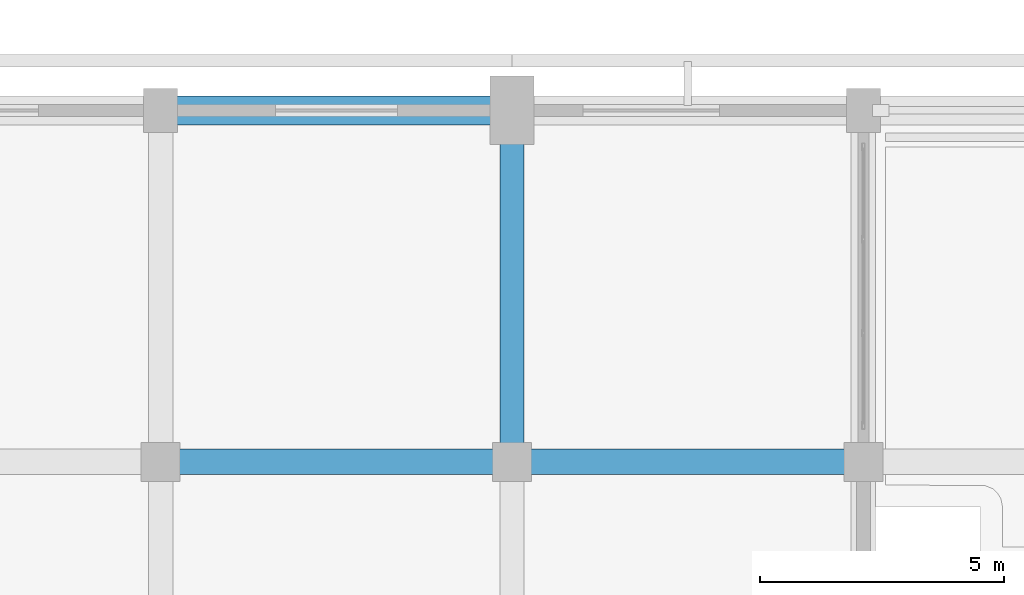
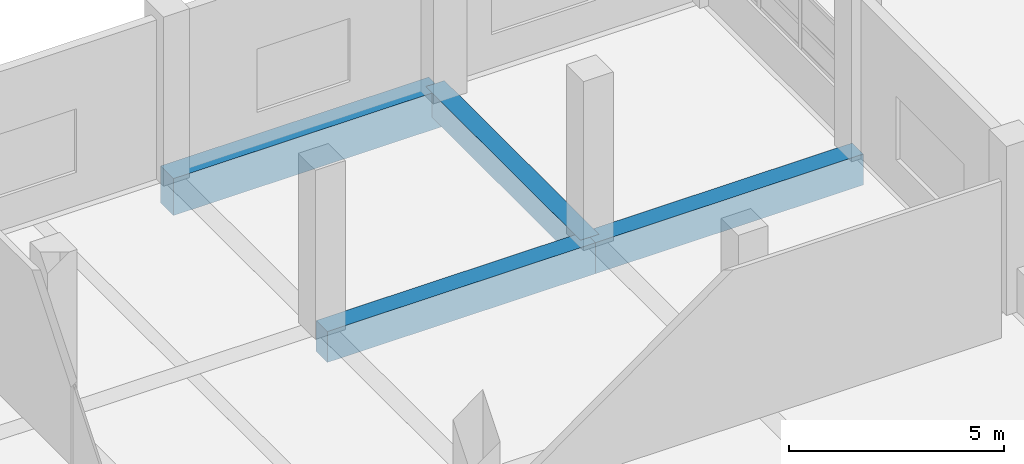
# One storey, part 72 of 140: 4 beams.
"""IFC4 building model written with IfcOpenShell, lengths in metres."""

from ifc_helpers import new_model, si_unit, direction, frame, origin, origin_2d, place, context, subcontext, project, spatial, rectangle, extrude, material, material_profile, profile_set, type_object, element, save


model = new_model("IFC4")

# Units and contexts
model_context = context("Model", 3, precision=1e-05, world=origin(), true_north=direction((0.0, 1.0)))
body_context = subcontext(model_context, "Body", "Model", "MODEL_VIEW")
ifc_project = project(units=[si_unit("LENGTHUNIT", "METRE"), si_unit("AREAUNIT", "SQUARE_METRE"), si_unit("VOLUMEUNIT", "CUBIC_METRE"), si_unit("PLANEANGLEUNIT", "RADIAN"), si_unit("MASSUNIT", "GRAM", prefix="KILO")], contexts=[model_context])

# Site, building, storey
site_placement = place(None, origin())
site = spatial("IfcSite", under=ifc_project, at=site_placement, CompositionType="ELEMENT")
building_placement = place(site_placement, origin())
building = spatial("IfcBuilding", under=site, at=building_placement, Name="Seraya Terrace Polytechnic", CompositionType="ELEMENT")
storey_placement = place(building_placement, frame((0.0, 0.0, 9.60009765625)))
storey = spatial("IfcBuildingStorey", under=building, at=storey_placement, Name="L02", CompositionType="ELEMENT", Elevation=9.60009765625)

# Beams
ifc_material = material(Name="Concrete C40/50", Category="concrete")
ifc_material_profile_1 = material_profile(ifc_material, rectangle(XDim=0.60009765625, YDim=1.050048828125, at=origin_2d()), Name="RC 600x1050")
ifc_profile_set_1 = profile_set([ifc_material_profile_1], Name="Concrete C40/50")
beam_type_1 = type_object("IfcBeamType", Name="BM-01", PredefinedType="BEAM", material=ifc_profile_set_1)
beam_1_placement = place(storey_placement, frame((93.60009765625, 79.199951171875, -0.525146484375), z_axis=(1.0, 0.0, 0.0), x_axis=(0.0, 1.0, 0.0)))
element("IfcBeam", 1, at=beam_1_placement, inside=storey, type_object=beam_type_1, Name="Beam BM-01 L02 X (93.6..100.8, 79.2)", PredefinedType="BEAM", context=body_context, shape_type="SweptSolid", body=[
    extrude(rectangle(XDim=0.60009765625, YDim=1.050048828125, at=origin_2d()), origin(), (0.0, 0.0, 1.0), 7.199951171875),
])
ifc_material_profile_2 = material_profile(ifc_material, rectangle(XDim=0.52001953125, YDim=0.8798828125, at=origin_2d()), Name="RC 520x880")
ifc_profile_set_2 = profile_set([ifc_material_profile_2], Name="Concrete C40/50")
beam_type_2 = type_object("IfcBeamType", Name="BM-04", PredefinedType="BEAM", material=ifc_profile_set_2)
for number, where, z_axis, x_axis, name in (
    (2, (93.60009765625, 72.0, -0.440185546875), (1.0, 0.0, 0.0), (0.0, 1.0, 0.0), "Beam BM-04 L02 X (93.6..100.8, 72.0)"),
    (3, (100.800048828125, 72.0, -0.440185546875), (1.0, 0.0, 0.0), (0.0, 1.0, 0.0), "Beam BM-04 L02 X (100.8..108.0, 72.0)"),
):
    element("IfcBeam", number, at=place(storey_placement, frame(where, z_axis=z_axis, x_axis=x_axis)), inside=storey, type_object=beam_type_2, Name=name, PredefinedType="BEAM", context=body_context, shape_type="SweptSolid", body=[
        extrude(rectangle(XDim=0.52001953125, YDim=0.8798828125, at=origin_2d()), origin(), (0.0, 0.0, 1.0), 7.199951171875),
    ])
ifc_material_profile_3 = material_profile(ifc_material, rectangle(XDim=0.5, YDim=0.699951171875, at=origin_2d()), Name="RC 500x700")
ifc_profile_set_3 = profile_set([ifc_material_profile_3], Name="Concrete C40/50")
beam_type_3 = type_object("IfcBeamType", Name="BM-07", PredefinedType="BEAM", material=ifc_profile_set_3)
beam_2_placement = place(storey_placement, frame((100.800048828125, 72.0, -0.35009765625), z_axis=(0.0, 1.0, 0.0), x_axis=(-1.0, 0.0, 0.0)))
element("IfcBeam", 4, at=beam_2_placement, inside=storey, type_object=beam_type_3, Name="Beam BM-07 L02 Y (100.8, 72.0..79.2)", PredefinedType="BEAM", context=body_context, shape_type="SweptSolid", body=[
    extrude(rectangle(XDim=0.5, YDim=0.699951171875, at=origin_2d()), origin(), (0.0, 0.0, 1.0), 7.199951171875),
])

save(model, "model.ifc")
